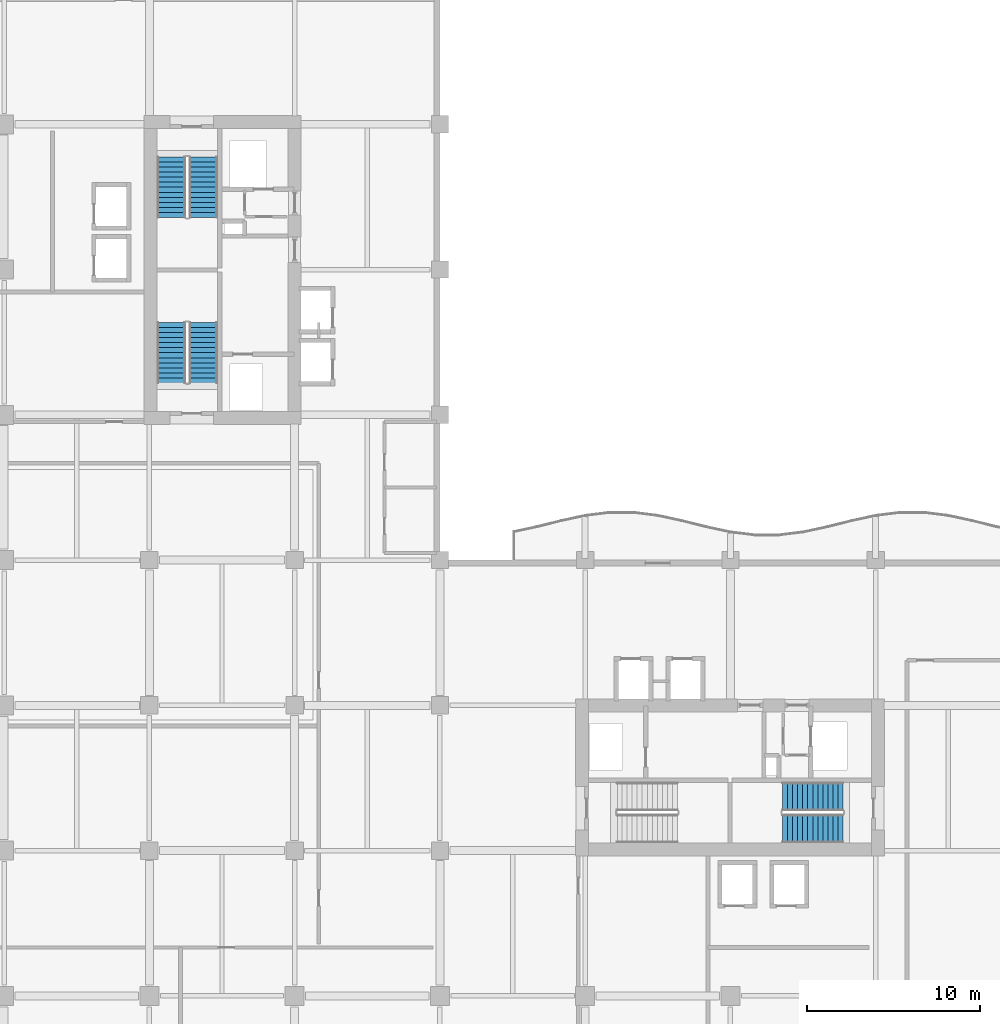
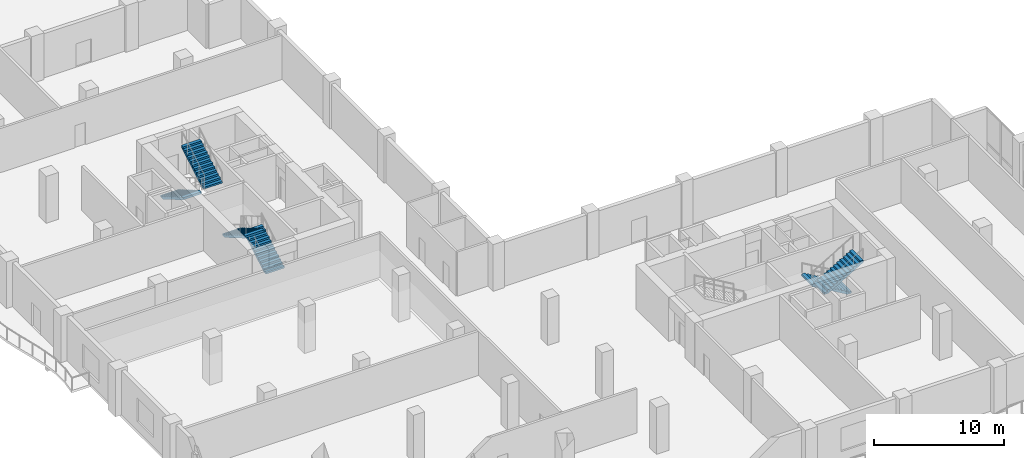
# One storey, part 16 of 22: 6 stair flights, 3 elements without a shape of their own.
"""IFC4 building model written with IfcOpenShell, lengths in metres."""

from ifc_helpers import new_model, si_unit, direction, frame, origin, place, context, subcontext, project, spatial, polyline, outline, extrude, material, type_object, element, aggregate, save


model = new_model("IFC4")

# Units and contexts
model_context = context("Model", 3, precision=1e-05, world=origin(), true_north=direction((0.0, 1.0)))
body_context = subcontext(model_context, "Body", "Model", "MODEL_VIEW")
ifc_project = project(units=[si_unit("LENGTHUNIT", "METRE"), si_unit("AREAUNIT", "SQUARE_METRE"), si_unit("VOLUMEUNIT", "CUBIC_METRE"), si_unit("PLANEANGLEUNIT", "RADIAN"), si_unit("MASSUNIT", "GRAM", prefix="KILO")], contexts=[model_context])

# Site, building, storey
site_placement = place(None, origin())
site = spatial("IfcSite", under=ifc_project, at=site_placement, CompositionType="ELEMENT")
building_placement = place(site_placement, origin())
building = spatial("IfcBuilding", under=site, at=building_placement, Name="Koriwani Terraces Tower", CompositionType="ELEMENT")
storey_placement = place(building_placement, frame((0.0, 0.0, 153.199951171875)))
storey = spatial("IfcBuildingStorey", under=building, at=storey_placement, Name="L37", CompositionType="ELEMENT", Elevation=153.199951171875)

# Stair, stair flights
ifc_material = material(Name="Concrete C40/50", Category="concrete")
stair_type = type_object("IfcStairType", Name="STAIR_CORE_DOGLEG_1650", PredefinedType="TWO_STRAIGHT_RUN_STAIR", material=ifc_material)
stair_1_placement = place(storey_placement, origin())
stair_1 = element("IfcStair", 1, at=stair_1_placement, inside=storey, type_object=stair_type, Name="L37 West Core Exit Stair 1", PredefinedType="HALF_TURN_STAIR")
stair_flight_type = type_object("IfcStairFlightType", Name="STAIR_FLIGHT_RC_1650", PredefinedType="STRAIGHT", material=ifc_material)
stair_flight_1_placement = place(storey_placement, frame((19.925048828125, 43.85009765625, 0.0), z_axis=(0.0, 0.0, 1.0), x_axis=(0.0, 1.0, 0.0)))
stair_flight_1 = element("IfcStairFlight", 2, at=stair_flight_1_placement, type_object=stair_flight_type, Name="ST-W1 flight 1", NumberOfRisers=13, NumberOfTreads=12, PredefinedType="STRAIGHT", RiserHeight=0.169230769, TreadLength=0.29, context=body_context, shape_type="SweptSolid", body=[
    extrude(outline(polyline([(0.0, 0.0), (0.0, 0.169189453125), (0.2900390625, 0.169189453125), (0.2900390625, 0.33837890625), (0.580078125, 0.33837890625), (0.580078125, 0.5078125), (0.8701171875, 0.5078125), (0.8701171875, 0.677001953125), (1.159912109375, 0.677001953125), (1.159912109375, 0.84619140625), (1.449951171875, 0.84619140625), (1.449951171875, 1.015380859375), (1.739990234375, 1.015380859375), (1.739990234375, 1.1845703125), (2.030029296875, 1.1845703125), (2.030029296875, 1.353759765625), (2.320068359375, 1.353759765625), (2.320068359375, 1.523193359375), (2.610107421875, 1.523193359375), (2.610107421875, 1.6923828125), (2.89990234375, 1.6923828125), (2.89990234375, 1.861572265625), (3.18994140625, 1.861572265625), (3.18994140625, 2.03076171875), (3.47998046875, 2.03076171875), (3.47998046875, 2.199951171875), (3.47998046875, 1.822509765625), (0.35693359375, 0.0), (0.0, 0.0)])), frame((0.0, 0.824951171875, 0.0), z_axis=(0.0, -1.0, 0.0), x_axis=(1.0, 0.0, 0.0)), (0.0, 0.0, 1.0), 1.64990234375),
])
stair_flight_2_placement = place(storey_placement, frame((18.074951171875, 47.330078125, 2.199951171875), z_axis=(0.0, 0.0, 1.0), x_axis=(0.0, -1.0, 0.0)))
stair_flight_2 = element("IfcStairFlight", 3, at=stair_flight_2_placement, type_object=stair_flight_type, Name="ST-W1 flight 2", NumberOfRisers=13, NumberOfTreads=12, PredefinedType="STRAIGHT", RiserHeight=0.169230769, TreadLength=0.29, context=body_context, shape_type="SweptSolid", body=[
    extrude(outline(polyline([(0.0, 0.0), (0.0, 0.169189453125), (0.2900390625, 0.169189453125), (0.2900390625, 0.33837890625), (0.580078125, 0.33837890625), (0.580078125, 0.5078125), (0.8701171875, 0.5078125), (0.8701171875, 0.677001953125), (1.159912109375, 0.677001953125), (1.159912109375, 0.84619140625), (1.449951171875, 0.84619140625), (1.449951171875, 1.015380859375), (1.739990234375, 1.015380859375), (1.739990234375, 1.1845703125), (2.030029296875, 1.1845703125), (2.030029296875, 1.353759765625), (2.320068359375, 1.353759765625), (2.320068359375, 1.523193359375), (2.610107421875, 1.523193359375), (2.610107421875, 1.6923828125), (2.89990234375, 1.6923828125), (2.89990234375, 1.861572265625), (3.18994140625, 1.861572265625), (3.18994140625, 2.03076171875), (3.47998046875, 2.03076171875), (3.47998046875, 2.199951171875), (3.47998046875, 1.822509765625), (0.35693359375, 0.0), (0.0, 0.0)])), frame((0.0, 0.824951171875, 0.0), z_axis=(0.0, -1.0, 0.0), x_axis=(1.0, 0.0, 0.0)), (0.0, 0.0, 1.0), 1.64990234375),
])
aggregate(stair_1, [stair_flight_1, stair_flight_2])

stair_2_placement = place(storey_placement, origin())
stair_2 = element("IfcStair", 4, at=stair_2_placement, inside=storey, type_object=stair_type, Name="L37 West Core Exit Stair 2", PredefinedType="HALF_TURN_STAIR")
stair_flight_3_placement = place(storey_placement, frame((18.074951171875, 56.89990234375, 0.0), z_axis=(0.0, 0.0, 1.0), x_axis=(0.0, -1.0, 0.0)))
stair_flight_3 = element("IfcStairFlight", 5, at=stair_flight_3_placement, type_object=stair_flight_type, Name="ST-W2 flight 1", NumberOfRisers=13, NumberOfTreads=12, PredefinedType="STRAIGHT", RiserHeight=0.169230769, TreadLength=0.29, context=body_context, shape_type="SweptSolid", body=[
    extrude(outline(polyline([(0.0, 0.0), (0.0, 0.169189453125), (0.2900390625, 0.169189453125), (0.2900390625, 0.33837890625), (0.580078125, 0.33837890625), (0.580078125, 0.5078125), (0.8701171875, 0.5078125), (0.8701171875, 0.677001953125), (1.159912109375, 0.677001953125), (1.159912109375, 0.84619140625), (1.449951171875, 0.84619140625), (1.449951171875, 1.015380859375), (1.739990234375, 1.015380859375), (1.739990234375, 1.1845703125), (2.030029296875, 1.1845703125), (2.030029296875, 1.353759765625), (2.320068359375, 1.353759765625), (2.320068359375, 1.523193359375), (2.610107421875, 1.523193359375), (2.610107421875, 1.6923828125), (2.89990234375, 1.6923828125), (2.89990234375, 1.861572265625), (3.18994140625, 1.861572265625), (3.18994140625, 2.03076171875), (3.47998046875, 2.03076171875), (3.47998046875, 2.199951171875), (3.47998046875, 1.822509765625), (0.35693359375, 0.0), (0.0, 0.0)])), frame((0.0, 0.824951171875, 0.0), z_axis=(0.0, -1.0, 0.0), x_axis=(1.0, 0.0, 0.0)), (0.0, 0.0, 1.0), 1.64990234375),
])
stair_flight_4_placement = place(storey_placement, frame((19.925048828125, 53.419921875, 2.199951171875), z_axis=(0.0, 0.0, 1.0), x_axis=(0.0, 1.0, 0.0)))
stair_flight_4 = element("IfcStairFlight", 6, at=stair_flight_4_placement, type_object=stair_flight_type, Name="ST-W2 flight 2", NumberOfRisers=13, NumberOfTreads=12, PredefinedType="STRAIGHT", RiserHeight=0.169230769, TreadLength=0.29, context=body_context, shape_type="SweptSolid", body=[
    extrude(outline(polyline([(0.0, 0.0), (0.0, 0.169189453125), (0.2900390625, 0.169189453125), (0.2900390625, 0.33837890625), (0.580078125, 0.33837890625), (0.580078125, 0.5078125), (0.8701171875, 0.5078125), (0.8701171875, 0.677001953125), (1.159912109375, 0.677001953125), (1.159912109375, 0.84619140625), (1.449951171875, 0.84619140625), (1.449951171875, 1.015380859375), (1.739990234375, 1.015380859375), (1.739990234375, 1.1845703125), (2.030029296875, 1.1845703125), (2.030029296875, 1.353759765625), (2.320068359375, 1.353759765625), (2.320068359375, 1.523193359375), (2.610107421875, 1.523193359375), (2.610107421875, 1.6923828125), (2.89990234375, 1.6923828125), (2.89990234375, 1.861572265625), (3.18994140625, 1.861572265625), (3.18994140625, 2.03076171875), (3.47998046875, 2.03076171875), (3.47998046875, 2.199951171875), (3.47998046875, 1.822509765625), (0.35693359375, 0.0), (0.0, 0.0)])), frame((0.0, 0.824951171875, 0.0), z_axis=(0.0, -1.0, 0.0), x_axis=(1.0, 0.0, 0.0)), (0.0, 0.0, 1.0), 1.64990234375),
])
aggregate(stair_2, [stair_flight_3, stair_flight_4])

stair_3_placement = place(storey_placement, origin())
stair_3 = element("IfcStair", 7, at=stair_3_placement, inside=storey, type_object=stair_type, Name="L37 East Core Exit Stair 2", PredefinedType="HALF_TURN_STAIR")
stair_flight_5_placement = place(storey_placement, frame((56.89990234375, 19.925048828125, 0.0), z_axis=(0.0, 0.0, 1.0), x_axis=(-1.0, 0.0, 0.0)))
stair_flight_5 = element("IfcStairFlight", 8, at=stair_flight_5_placement, type_object=stair_flight_type, Name="ST-E2 flight 1", NumberOfRisers=13, NumberOfTreads=12, PredefinedType="STRAIGHT", RiserHeight=0.169230769, TreadLength=0.29, context=body_context, shape_type="SweptSolid", body=[
    extrude(outline(polyline([(0.0, 0.0), (0.0, 0.169189453125), (0.2900390625, 0.169189453125), (0.2900390625, 0.33837890625), (0.580078125, 0.33837890625), (0.580078125, 0.5078125), (0.8701171875, 0.5078125), (0.8701171875, 0.677001953125), (1.159912109375, 0.677001953125), (1.159912109375, 0.84619140625), (1.449951171875, 0.84619140625), (1.449951171875, 1.015380859375), (1.739990234375, 1.015380859375), (1.739990234375, 1.1845703125), (2.030029296875, 1.1845703125), (2.030029296875, 1.353759765625), (2.320068359375, 1.353759765625), (2.320068359375, 1.523193359375), (2.610107421875, 1.523193359375), (2.610107421875, 1.6923828125), (2.89990234375, 1.6923828125), (2.89990234375, 1.861572265625), (3.18994140625, 1.861572265625), (3.18994140625, 2.03076171875), (3.47998046875, 2.03076171875), (3.47998046875, 2.199951171875), (3.47998046875, 1.822509765625), (0.35693359375, 0.0), (0.0, 0.0)])), frame((0.0, 0.824951171875, 0.0), z_axis=(0.0, -1.0, 0.0), x_axis=(1.0, 0.0, 0.0)), (0.0, 0.0, 1.0), 1.64990234375),
])
stair_flight_6_placement = place(storey_placement, frame((53.419921875, 18.074951171875, 2.199951171875), z_axis=(0.0, 0.0, 1.0), x_axis=(1.0, 0.0, 0.0)))
stair_flight_6 = element("IfcStairFlight", 9, at=stair_flight_6_placement, type_object=stair_flight_type, Name="ST-E2 flight 2", NumberOfRisers=13, NumberOfTreads=12, PredefinedType="STRAIGHT", RiserHeight=0.169230769, TreadLength=0.29, context=body_context, shape_type="SweptSolid", body=[
    extrude(outline(polyline([(0.0, 0.0), (0.0, 0.169189453125), (0.2900390625, 0.169189453125), (0.2900390625, 0.33837890625), (0.580078125, 0.33837890625), (0.580078125, 0.5078125), (0.8701171875, 0.5078125), (0.8701171875, 0.677001953125), (1.159912109375, 0.677001953125), (1.159912109375, 0.84619140625), (1.449951171875, 0.84619140625), (1.449951171875, 1.015380859375), (1.739990234375, 1.015380859375), (1.739990234375, 1.1845703125), (2.030029296875, 1.1845703125), (2.030029296875, 1.353759765625), (2.320068359375, 1.353759765625), (2.320068359375, 1.523193359375), (2.610107421875, 1.523193359375), (2.610107421875, 1.6923828125), (2.89990234375, 1.6923828125), (2.89990234375, 1.861572265625), (3.18994140625, 1.861572265625), (3.18994140625, 2.03076171875), (3.47998046875, 2.03076171875), (3.47998046875, 2.199951171875), (3.47998046875, 1.822509765625), (0.35693359375, 0.0), (0.0, 0.0)])), frame((0.0, 0.824951171875, 0.0), z_axis=(0.0, -1.0, 0.0), x_axis=(1.0, 0.0, 0.0)), (0.0, 0.0, 1.0), 1.64990234375),
])
aggregate(stair_3, [stair_flight_5, stair_flight_6])

save(model, "model.ifc")
